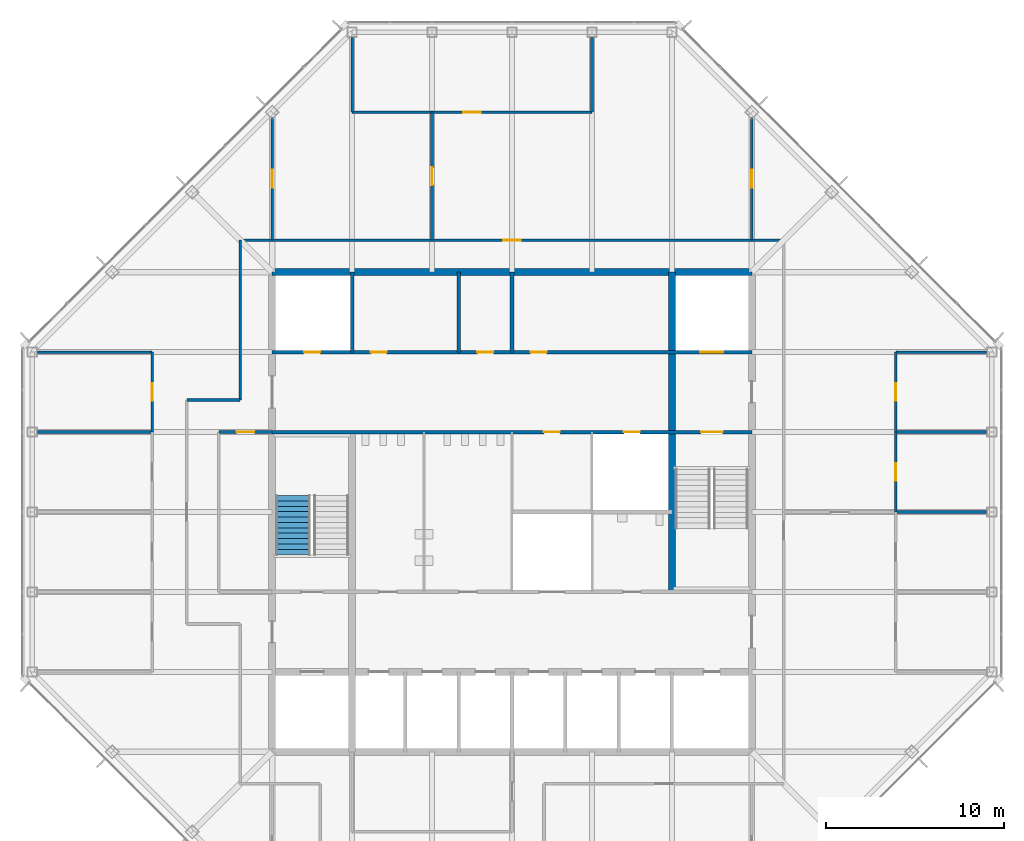
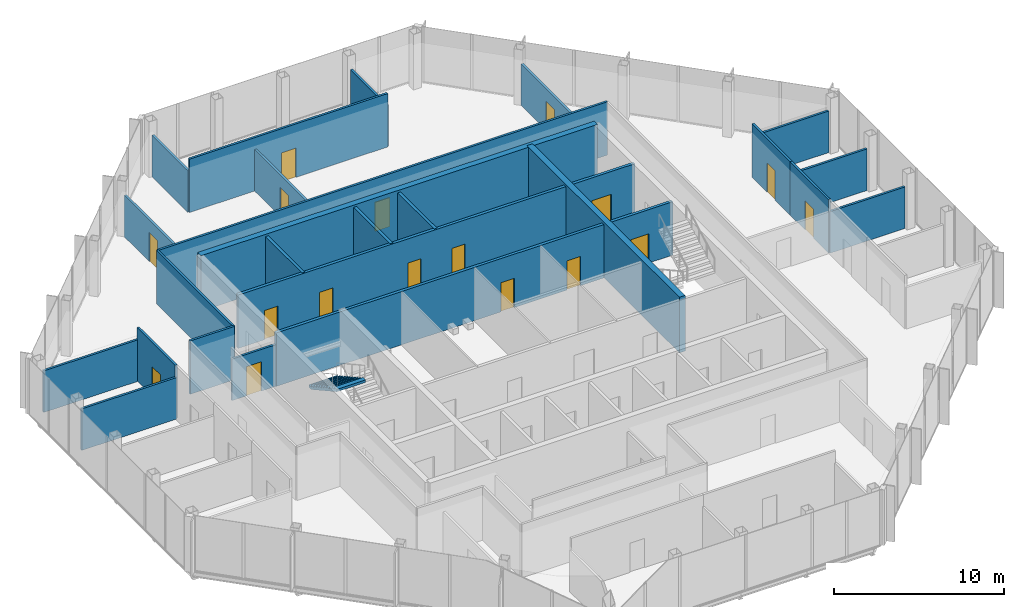
# One storey, part 11 of 14: 25 walls, 17 doors, 1 stair flight, 17 openings, 1 element without a shape of its own.
"""IFC4 building model written with IfcOpenShell, lengths in metres."""

from ifc_helpers import new_model, si_unit, direction, frame, frame_2d, origin, place, context, subcontext, project, spatial, polyline, rectangle, outline, extrude, material, layer, layer_set, type_object, element, fill, aggregate, save


model = new_model("IFC4")

# Units and contexts
model_context = context("Model", 3, precision=1e-05, world=origin(), true_north=direction((0.0, 1.0)))
body_context = subcontext(model_context, "Body", "Model", "MODEL_VIEW")
ifc_project = project(units=[si_unit("LENGTHUNIT", "METRE"), si_unit("AREAUNIT", "SQUARE_METRE"), si_unit("VOLUMEUNIT", "CUBIC_METRE"), si_unit("PLANEANGLEUNIT", "RADIAN"), si_unit("MASSUNIT", "GRAM", prefix="KILO")], contexts=[model_context])

# Site, building, storey
site_placement = place(None, origin())
site = spatial("IfcSite", under=ifc_project, at=site_placement, CompositionType="ELEMENT")
building_placement = place(site_placement, origin())
building = spatial("IfcBuilding", under=site, at=building_placement, Name="Corais Broadcast Tower", CompositionType="ELEMENT")
storey_placement = place(building_placement, frame((0.0, 0.0, 294.60009765625)))
storey = spatial("IfcBuildingStorey", under=building, at=storey_placement, Name="L69", CompositionType="ELEMENT", Elevation=294.60009765625)

# Wall
ifc_material_1 = material(Name="Concrete blockwork class A, grouted, two-hour", Category="masonry")
ifc_layer_1 = layer(ifc_material_1, 0.199951171875)
ifc_layer_set_1 = layer_set([ifc_layer_1], Name="Concrete blockwork class A, grouted, two-hour")
wall_type_1 = type_object("IfcWallType", Name="Core lobby wall 200", PredefinedType="SOLIDWALL", material=ifc_layer_set_1)
wall_1_placement = place(storey_placement, frame((18.0, 36.0, 0.0), z_axis=(0.0, 0.0, 1.0), x_axis=(0.0, 1.0, 0.0)))
element("IfcWall", 1, at=wall_1_placement, inside=storey, type_object=wall_type_1, Name="CL3 core shaft wall X18B L69", PredefinedType="SOLIDWALL", context=body_context, shape_type="SweptSolid", body=[
    extrude(rectangle(XDim=4.5, YDim=0.199951171875, at=frame_2d((2.25, 0.0))), origin(), (0.0, 0.0, 1.0), 3.83984375),
])

# Wall, openings, doors
wall_2_placement = place(storey_placement, frame((13.5, 31.5, 0.0), z_axis=(0.0, 0.0, 1.0), x_axis=(1.0, 0.0, 0.0)))
wall_2 = element("IfcWall", 2, at=wall_2_placement, inside=storey, type_object=wall_type_1, Name="CL3 core lobby wall Y315 L69", PredefinedType="SOLIDWALL", context=body_context, shape_type="SweptSolid", body=[
    extrude(rectangle(XDim=27.0, YDim=0.199951171875, at=frame_2d((13.5, 0.0))), origin(), (0.0, 0.0, 1.0), 3.83984375),
])
opening_1_placement = place(wall_2_placement, frame((24.14990234375, 0.0, 0.0)))
opening_1 = element("IfcOpeningElement", 3, at=opening_1_placement, cuts=wall_2, Name="Opening FD1", PredefinedType="OPENING", context=body_context, shape_type="SweptSolid", body=[
    extrude(rectangle(XDim=1.199951171875, YDim=2.10009765625, at=frame_2d((0.60009765625, 1.050048828125))), frame((0.0, 0.10986328125, 0.0), z_axis=(0.0, -1.0, 0.0), x_axis=(1.0, 0.0, 0.0)), (0.0, 0.0, 1.0), 0.219970703125),
])
opening_2_placement = place(wall_2_placement, frame((15.300048828125, 0.0, 0.0)))
opening_2 = element("IfcOpeningElement", 4, at=opening_2_placement, cuts=wall_2, Name="Opening RD1", PredefinedType="OPENING", context=body_context, shape_type="SweptSolid", body=[
    extrude(rectangle(XDim=0.89990234375, YDim=2.10009765625, at=frame_2d((0.449951171875, 1.050048828125))), frame((0.0, 0.10986328125, 0.0), z_axis=(0.0, -1.0, 0.0), x_axis=(1.0, 0.0, 0.0)), (0.0, 0.0, 1.0), 0.219970703125),
])
opening_3_placement = place(wall_2_placement, frame((19.800048828125, 0.0, 0.0)))
opening_3 = element("IfcOpeningElement", 5, at=opening_3_placement, cuts=wall_2, Name="Opening RD1", PredefinedType="OPENING", context=body_context, shape_type="SweptSolid", body=[
    extrude(rectangle(XDim=0.89990234375, YDim=2.10009765625, at=frame_2d((0.449951171875, 1.050048828125))), frame((0.0, 0.10986328125, 0.0), z_axis=(0.0, -1.0, 0.0), x_axis=(1.0, 0.0, 0.0)), (0.0, 0.0, 1.0), 0.219970703125),
])
ifc_material_2 = material(Name="Steel fire door", Category="steel")
door_type_1 = type_object("IfcDoorType", Name="Fire door 1200x2100", OperationType="SINGLE_SWING_LEFT", PredefinedType="DOOR", material=ifc_material_2)
door_1_placement = place(opening_1_placement, origin())
door_1 = element("IfcDoor", 6, at=door_1_placement, inside=storey, type_object=door_type_1, Name="FD1 stair B door L69", OperationType="SINGLE_SWING_RIGHT", OverallHeight=2.10009765625, OverallWidth=1.199951171875, PredefinedType="DOOR", context=body_context, shape_type="SweptSolid", body=[
    extrude(rectangle(XDim=1.199951171875, YDim=2.10009765625, at=frame_2d((0.60009765625, 1.050048828125))), frame((0.0, 0.02490234375, 0.0), z_axis=(0.0, -1.0, 0.0), x_axis=(1.0, 0.0, 0.0)), (0.0, 0.0, 1.0), 0.050048828125),
])
fill(opening_1, door_1)
ifc_material_3 = material(Name="Steel fire door", Category="steel")
door_type_2 = type_object("IfcDoorType", Name="Riser door 900x2100", OperationType="SINGLE_SWING_LEFT", PredefinedType="DOOR", material=ifc_material_3)
door_2_placement = place(opening_2_placement, origin())
door_2 = element("IfcDoor", 7, at=door_2_placement, inside=storey, type_object=door_type_2, Name="RD1 vending room door L69", OperationType="SINGLE_SWING_RIGHT", OverallHeight=2.10009765625, OverallWidth=0.89990234375, PredefinedType="DOOR", context=body_context, shape_type="SweptSolid", body=[
    extrude(rectangle(XDim=0.89990234375, YDim=2.10009765625, at=frame_2d((0.449951171875, 1.050048828125))), frame((0.0, 0.02490234375, 0.0), z_axis=(0.0, -1.0, 0.0), x_axis=(1.0, 0.0, 0.0)), (0.0, 0.0, 1.0), 0.050048828125),
])
fill(opening_2, door_2)
door_3_placement = place(opening_3_placement, origin())
door_3 = element("IfcDoor", 8, at=door_3_placement, inside=storey, type_object=door_type_2, Name="RD1 riser door L69", OperationType="SINGLE_SWING_RIGHT", OverallHeight=2.10009765625, OverallWidth=0.89990234375, PredefinedType="DOOR", context=body_context, shape_type="SweptSolid", body=[
    extrude(rectangle(XDim=0.89990234375, YDim=2.10009765625, at=frame_2d((0.449951171875, 1.050048828125))), frame((0.0, 0.02490234375, 0.0), z_axis=(0.0, -1.0, 0.0), x_axis=(1.0, 0.0, 0.0)), (0.0, 0.0, 1.0), 0.050048828125),
])
fill(opening_3, door_3)

# Walls
ifc_material_4 = material(Name="Concrete C50/60", Category="concrete")
ifc_layer_2 = layer(ifc_material_4, 0.39990234375)
ifc_layer_set_2 = layer_set([ifc_layer_2], Name="Concrete C50/60")
wall_type_2 = type_object("IfcWallType", Name="Core wall 400", PredefinedType="SHEAR", material=ifc_layer_set_2)
wall_3_placement = place(storey_placement, frame((40.5, 40.5, 0.0), z_axis=(0.0, 0.0, 1.0), x_axis=(-1.0, 0.0, 0.0)))
element("IfcWall", 9, at=wall_3_placement, inside=storey, type_object=wall_type_2, Name="CR400 core wall N L69", PredefinedType="SHEAR", context=body_context, shape_type="SweptSolid", body=[
    extrude(rectangle(XDim=27.0, YDim=0.39990234375, at=frame_2d((13.5, 0.0))), origin(), (0.0, 0.0, 1.0), 4.0),
])
wall_4_placement = place(storey_placement, frame((36.0, 22.5, 0.0), z_axis=(0.0, 0.0, 1.0), x_axis=(0.0, 1.0, 0.0)))
element("IfcWall", 10, at=wall_4_placement, inside=storey, type_object=wall_type_2, Name="CR400 core wall X36B L69", PredefinedType="SHEAR", context=body_context, shape_type="SweptSolid", body=[
    extrude(rectangle(XDim=18.0, YDim=0.39990234375, at=frame_2d((9.0, 0.0))), origin(), (0.0, 0.0, 1.0), 4.0),
])

# Wall, openings, doors
ifc_material_5 = material(Name="Concrete blockwork class A, grouted, four-hour", Category="masonry")
ifc_layer_3 = layer(ifc_material_5, 0.199951171875)
ifc_layer_set_3 = layer_set([ifc_layer_3], Name="Concrete blockwork class A, grouted, four-hour")
wall_type_3 = type_object("IfcWallType", Name="Emergency lift shaft wall 200", PredefinedType="SOLIDWALL", material=ifc_layer_set_3)
wall_5_placement = place(storey_placement, frame((13.5, 36.0, 0.0), z_axis=(0.0, 0.0, 1.0), x_axis=(1.0, 0.0, 0.0)))
wall_5 = element("IfcWall", 11, at=wall_5_placement, inside=storey, type_object=wall_type_3, Name="LS3 core lobby wall Y36 L69", PredefinedType="SOLIDWALL", context=body_context, shape_type="SweptSolid", body=[
    extrude(rectangle(XDim=27.0, YDim=0.199951171875, at=frame_2d((13.5, 0.0))), origin(), (0.0, 0.0, 1.0), 3.83984375),
])
opening_4_placement = place(wall_5_placement, frame((1.800048828125, 0.0, 0.0)))
opening_4 = element("IfcOpeningElement", 12, at=opening_4_placement, cuts=wall_5, Name="Opening RD1", PredefinedType="OPENING", context=body_context, shape_type="SweptSolid", body=[
    extrude(rectangle(XDim=0.89990234375, YDim=2.10009765625, at=frame_2d((0.449951171875, 1.050048828125))), frame((0.0, 0.10986328125, 0.0), z_axis=(0.0, -1.0, 0.0), x_axis=(1.0, 0.0, 0.0)), (0.0, 0.0, 1.0), 0.219970703125),
])
opening_5_placement = place(wall_5_placement, frame((5.550048828125, 0.0, 0.0)))
opening_5 = element("IfcOpeningElement", 13, at=opening_5_placement, cuts=wall_5, Name="Opening RD1", PredefinedType="OPENING", context=body_context, shape_type="SweptSolid", body=[
    extrude(rectangle(XDim=0.89990234375, YDim=2.10009765625, at=frame_2d((0.449951171875, 1.050048828125))), frame((0.0, 0.10986328125, 0.0), z_axis=(0.0, -1.0, 0.0), x_axis=(1.0, 0.0, 0.0)), (0.0, 0.0, 1.0), 0.219970703125),
])
opening_6_placement = place(wall_5_placement, frame((11.550048828125, 0.0, 0.0)))
opening_6 = element("IfcOpeningElement", 14, at=opening_6_placement, cuts=wall_5, Name="Opening RD1", PredefinedType="OPENING", context=body_context, shape_type="SweptSolid", body=[
    extrude(rectangle(XDim=0.89990234375, YDim=2.10009765625, at=frame_2d((0.449951171875, 1.050048828125))), frame((0.0, 0.10986328125, 0.0), z_axis=(0.0, -1.0, 0.0), x_axis=(1.0, 0.0, 0.0)), (0.0, 0.0, 1.0), 0.219970703125),
])
opening_7_placement = place(wall_5_placement, frame((14.550048828125, 0.0, 0.0)))
opening_7 = element("IfcOpeningElement", 15, at=opening_7_placement, cuts=wall_5, Name="Opening RD1", PredefinedType="OPENING", context=body_context, shape_type="SweptSolid", body=[
    extrude(rectangle(XDim=0.89990234375, YDim=2.10009765625, at=frame_2d((0.449951171875, 1.050048828125))), frame((0.0, 0.10986328125, 0.0), z_axis=(0.0, -1.0, 0.0), x_axis=(1.0, 0.0, 0.0)), (0.0, 0.0, 1.0), 0.219970703125),
])
opening_8_placement = place(wall_5_placement, frame((24.10009765625, 0.0, 0.0)))
opening_8 = element("IfcOpeningElement", 16, at=opening_8_placement, cuts=wall_5, Name="Opening LD2", PredefinedType="OPENING", context=body_context, shape_type="SweptSolid", body=[
    extrude(rectangle(XDim=1.300048828125, YDim=2.199951171875, at=frame_2d((0.64990234375, 1.10009765625))), frame((0.0, 0.10986328125, 0.0), z_axis=(0.0, -1.0, 0.0), x_axis=(1.0, 0.0, 0.0)), (0.0, 0.0, 1.0), 0.219970703125),
])
ifc_material_6 = material(Name="Stainless steel lift door", Category="steel")
door_type_3 = type_object("IfcDoorType", Name="Lift landing door 1300x2200", OperationType="SLIDING_TO_LEFT", PredefinedType="DOOR", material=ifc_material_6)
door_4_placement = place(opening_8_placement, origin())
door_4 = element("IfcDoor", 17, at=door_4_placement, inside=storey, type_object=door_type_3, Name="LD2 FL2 landing door L69", OperationType="SLIDING_TO_LEFT", OverallHeight=2.199951171875, OverallWidth=1.300048828125, PredefinedType="DOOR", context=body_context, shape_type="SweptSolid", body=[
    extrude(rectangle(XDim=1.300048828125, YDim=2.199951171875, at=frame_2d((0.64990234375, 1.10009765625))), frame((0.0, 0.02490234375, 0.0), z_axis=(0.0, -1.0, 0.0), x_axis=(1.0, 0.0, 0.0)), (0.0, 0.0, 1.0), 0.050048828125),
])
fill(opening_8, door_4)
door_5_placement = place(opening_4_placement, origin())
door_5 = element("IfcDoor", 18, at=door_5_placement, inside=storey, type_object=door_type_2, Name="RD1 riser door L69", OperationType="SINGLE_SWING_LEFT", OverallHeight=2.10009765625, OverallWidth=0.89990234375, PredefinedType="DOOR", context=body_context, shape_type="SweptSolid", body=[
    extrude(rectangle(XDim=0.89990234375, YDim=2.10009765625, at=frame_2d((0.449951171875, 1.050048828125))), frame((0.0, 0.02490234375, 0.0), z_axis=(0.0, -1.0, 0.0), x_axis=(1.0, 0.0, 0.0)), (0.0, 0.0, 1.0), 0.050048828125),
])
fill(opening_4, door_5)
door_6_placement = place(opening_5_placement, origin())
door_6 = element("IfcDoor", 19, at=door_6_placement, inside=storey, type_object=door_type_2, Name="RD1 media store door L69", OperationType="SINGLE_SWING_LEFT", OverallHeight=2.10009765625, OverallWidth=0.89990234375, PredefinedType="DOOR", context=body_context, shape_type="SweptSolid", body=[
    extrude(rectangle(XDim=0.89990234375, YDim=2.10009765625, at=frame_2d((0.449951171875, 1.050048828125))), frame((0.0, 0.02490234375, 0.0), z_axis=(0.0, -1.0, 0.0), x_axis=(1.0, 0.0, 0.0)), (0.0, 0.0, 1.0), 0.050048828125),
])
fill(opening_5, door_6)
door_7_placement = place(opening_6_placement, origin())
door_7 = element("IfcDoor", 20, at=door_7_placement, inside=storey, type_object=door_type_2, Name="RD1 tea point door L69", OperationType="SINGLE_SWING_LEFT", OverallHeight=2.10009765625, OverallWidth=0.89990234375, PredefinedType="DOOR", context=body_context, shape_type="SweptSolid", body=[
    extrude(rectangle(XDim=0.89990234375, YDim=2.10009765625, at=frame_2d((0.449951171875, 1.050048828125))), frame((0.0, 0.02490234375, 0.0), z_axis=(0.0, -1.0, 0.0), x_axis=(1.0, 0.0, 0.0)), (0.0, 0.0, 1.0), 0.050048828125),
])
fill(opening_6, door_7)
door_8_placement = place(opening_7_placement, origin())
door_8 = element("IfcDoor", 21, at=door_8_placement, inside=storey, type_object=door_type_2, Name="RD1 locker room door L69", OperationType="SINGLE_SWING_RIGHT", OverallHeight=2.10009765625, OverallWidth=0.89990234375, PredefinedType="DOOR", context=body_context, shape_type="SweptSolid", body=[
    extrude(rectangle(XDim=0.89990234375, YDim=2.10009765625, at=frame_2d((0.449951171875, 1.050048828125))), frame((0.0, 0.02490234375, 0.0), z_axis=(0.0, -1.0, 0.0), x_axis=(1.0, 0.0, 0.0)), (0.0, 0.0, 1.0), 0.050048828125),
])
fill(opening_7, door_8)

# Wall, opening, door
ifc_material_7 = material(Name="Gypsum board on steel studs", Category="steel")
ifc_layer_4 = layer(ifc_material_7, 0.14990234375)
ifc_layer_set_4 = layer_set([ifc_layer_4], Name="Gypsum board on steel studs")
wall_type_4 = type_object("IfcWallType", Name="Partition 150", PredefinedType="PARTITIONING", material=ifc_layer_set_4)
wall_6_placement = place(storey_placement, frame((42.300048828125, 42.300048828125, 0.0), z_axis=(0.0, 0.0, 1.0), x_axis=(-1.0, 0.0, 0.0)))
wall_6 = element("IfcWall", 22, at=wall_6_placement, inside=storey, type_object=wall_type_4, Name="IW3 corridor wall L69", PredefinedType="PARTITIONING", context=body_context, shape_type="SweptSolid", body=[
    extrude(rectangle(XDim=30.60009765625, YDim=0.14990234375, at=frame_2d((15.300048828125, 0.0))), origin(), (0.0, 0.0, 1.0), 3.83984375),
])
opening_9_placement = place(wall_6_placement, frame((14.800048828125, 0.0, 0.0)))
opening_9 = element("IfcOpeningElement", 23, at=opening_9_placement, cuts=wall_6, Name="Opening D1", PredefinedType="OPENING", context=body_context, shape_type="SweptSolid", body=[
    extrude(rectangle(XDim=1.0, YDim=2.10009765625, at=frame_2d((0.5, 1.050048828125))), frame((0.0, 0.0849609375, 0.0), z_axis=(0.0, -1.0, 0.0), x_axis=(1.0, 0.0, 0.0)), (0.0, 0.0, 1.0), 0.169921875),
])
ifc_material_8 = material(Name="Timber door", Category="wood")
door_type_4 = type_object("IfcDoorType", Name="Single door 1000x2100", OperationType="SINGLE_SWING_LEFT", PredefinedType="DOOR", material=ifc_material_8)
door_9_placement = place(opening_9_placement, origin())
door_9 = element("IfcDoor", 24, at=door_9_placement, inside=storey, type_object=door_type_4, Name="D1 workplace door L69", OperationType="SINGLE_SWING_LEFT", OverallHeight=2.10009765625, OverallWidth=1.0, PredefinedType="DOOR", context=body_context, shape_type="SweptSolid", body=[
    extrude(rectangle(XDim=1.0, YDim=2.10009765625, at=frame_2d((0.5, 1.050048828125))), frame((0.0, 0.02490234375, 0.0), z_axis=(0.0, -1.0, 0.0), x_axis=(1.0, 0.0, 0.0)), (0.0, 0.0, 1.0), 0.050048828125),
])
fill(opening_9, door_9)

# Walls
wall_7_placement = place(storey_placement, frame((11.699951171875, 42.300048828125, 0.0), z_axis=(0.0, 0.0, 1.0), x_axis=(0.0, -1.0, 0.0)))
element("IfcWall", 25, at=wall_7_placement, inside=storey, type_object=wall_type_4, Name="IW3 corridor wall L69", PredefinedType="PARTITIONING", context=body_context, shape_type="SweptSolid", body=[
    extrude(rectangle(XDim=9.0, YDim=0.14990234375, at=frame_2d((4.5, 0.0))), origin(), (0.0, 0.0, 1.0), 3.83984375),
])
wall_8_placement = place(storey_placement, frame((11.699951171875, 33.300048828125, 0.0), z_axis=(0.0, 0.0, 1.0), x_axis=(-1.0, 0.0, 0.0)))
element("IfcWall", 26, at=wall_8_placement, inside=storey, type_object=wall_type_4, Name="IW3 corridor wall L69", PredefinedType="PARTITIONING", context=body_context, shape_type="SweptSolid", body=[
    extrude(rectangle(XDim=3.0, YDim=0.14990234375, at=frame_2d((1.5, 0.0))), origin(), (0.0, 0.0, 1.0), 3.83984375),
])
for number, where, z_axis, x_axis, name in (
    (27, (53.715087890625, 27.0, 0.0), (0.0, 0.0, 1.0), (-1.0, 0.0, 0.0), "IW3 partition L69"),
    (28, (53.715087890625, 31.5, 0.0), (0.0, 0.0, 1.0), (-1.0, 0.0, 0.0), "IW3 partition L69"),
):
    element("IfcWall", number, at=place(storey_placement, frame(where, z_axis=z_axis, x_axis=x_axis)), inside=storey, type_object=wall_type_4, Name=name, PredefinedType="PARTITIONING", context=body_context, shape_type="SweptSolid", body=[
        extrude(rectangle(XDim=5.114990234375, YDim=0.14990234375, at=frame_2d((2.5576171875, 0.0))), origin(), (0.0, 0.0, 1.0), 2.989013671875),
    ])

# Wall, opening, door
wall_9_placement = place(storey_placement, frame((48.60009765625, 31.5, 0.0), z_axis=(0.0, 0.0, 1.0), x_axis=(0.0, -1.0, 0.0)))
wall_9 = element("IfcWall", 29, at=wall_9_placement, inside=storey, type_object=wall_type_4, Name="IW3 partition L69", PredefinedType="PARTITIONING", context=body_context, shape_type="SweptSolid", body=[
    extrude(rectangle(XDim=4.5, YDim=0.14990234375, at=frame_2d((2.25, 0.0))), origin(), (0.0, 0.0, 1.0), 3.83984375),
])
opening_10_placement = place(wall_9_placement, frame((1.75, 0.0, 0.0)))
opening_10 = element("IfcOpeningElement", 30, at=opening_10_placement, cuts=wall_9, Name="Opening D1", PredefinedType="OPENING", context=body_context, shape_type="SweptSolid", body=[
    extrude(rectangle(XDim=1.0, YDim=2.10009765625, at=frame_2d((0.5, 1.050048828125))), frame((0.0, 0.0849609375, 0.0), z_axis=(0.0, -1.0, 0.0), x_axis=(1.0, 0.0, 0.0)), (0.0, 0.0, 1.0), 0.169921875),
])
door_10_placement = place(opening_10_placement, origin())
door_10 = element("IfcDoor", 31, at=door_10_placement, inside=storey, type_object=door_type_4, Name="D1 Executive office door", OperationType="SINGLE_SWING_LEFT", OverallHeight=2.10009765625, OverallWidth=1.0, PredefinedType="DOOR", context=body_context, shape_type="SweptSolid", body=[
    extrude(rectangle(XDim=1.0, YDim=2.10009765625, at=frame_2d((0.5, 1.050048828125))), frame((0.0, 0.02490234375, 0.0), z_axis=(0.0, -1.0, 0.0), x_axis=(1.0, 0.0, 0.0)), (0.0, 0.0, 1.0), 0.050048828125),
])
fill(opening_10, door_10)

# Wall
wall_10_placement = place(storey_placement, frame((53.715087890625, 36.0, 0.0), z_axis=(0.0, 0.0, 1.0), x_axis=(-1.0, 0.0, 0.0)))
element("IfcWall", 32, at=wall_10_placement, inside=storey, type_object=wall_type_4, Name="IW3 partition L69", PredefinedType="PARTITIONING", context=body_context, shape_type="SweptSolid", body=[
    extrude(rectangle(XDim=5.114990234375, YDim=0.14990234375, at=frame_2d((2.5576171875, 0.0))), origin(), (0.0, 0.0, 1.0), 2.989013671875),
])

# Wall, opening, door
wall_11_placement = place(storey_placement, frame((48.60009765625, 36.0, 0.0), z_axis=(0.0, 0.0, 1.0), x_axis=(0.0, -1.0, 0.0)))
wall_11 = element("IfcWall", 33, at=wall_11_placement, inside=storey, type_object=wall_type_4, Name="IW3 partition L69", PredefinedType="PARTITIONING", context=body_context, shape_type="SweptSolid", body=[
    extrude(rectangle(XDim=4.5, YDim=0.14990234375, at=frame_2d((2.25, 0.0))), origin(), (0.0, 0.0, 1.0), 3.83984375),
])
opening_11_placement = place(wall_11_placement, frame((1.75, 0.0, 0.0)))
opening_11 = element("IfcOpeningElement", 34, at=opening_11_placement, cuts=wall_11, Name="Opening D1", PredefinedType="OPENING", context=body_context, shape_type="SweptSolid", body=[
    extrude(rectangle(XDim=1.0, YDim=2.10009765625, at=frame_2d((0.5, 1.050048828125))), frame((0.0, 0.0849609375, 0.0), z_axis=(0.0, -1.0, 0.0), x_axis=(1.0, 0.0, 0.0)), (0.0, 0.0, 1.0), 0.169921875),
])
door_11_placement = place(opening_11_placement, origin())
door_11 = element("IfcDoor", 35, at=door_11_placement, inside=storey, type_object=door_type_4, Name="D1 Executive office door", OperationType="SINGLE_SWING_LEFT", OverallHeight=2.10009765625, OverallWidth=1.0, PredefinedType="DOOR", context=body_context, shape_type="SweptSolid", body=[
    extrude(rectangle(XDim=1.0, YDim=2.10009765625, at=frame_2d((0.5, 1.050048828125))), frame((0.0, 0.02490234375, 0.0), z_axis=(0.0, -1.0, 0.0), x_axis=(1.0, 0.0, 0.0)), (0.0, 0.0, 1.0), 0.050048828125),
])
fill(opening_11, door_11)

wall_12_placement = place(storey_placement, frame((18.0, 49.5, 0.0), z_axis=(0.0, 0.0, 1.0), x_axis=(1.0, 0.0, 0.0)))
wall_12 = element("IfcWall", 36, at=wall_12_placement, inside=storey, type_object=wall_type_4, Name="IW3 partition L69", PredefinedType="PARTITIONING", context=body_context, shape_type="SweptSolid", body=[
    extrude(rectangle(XDim=13.5, YDim=0.14990234375, at=frame_2d((6.75, 0.0))), origin(), (0.0, 0.0, 1.0), 3.83984375),
])
opening_12_placement = place(wall_12_placement, frame((6.25, 0.0, 0.0)))
opening_12 = element("IfcOpeningElement", 37, at=opening_12_placement, cuts=wall_12, Name="Opening D1", PredefinedType="OPENING", context=body_context, shape_type="SweptSolid", body=[
    extrude(rectangle(XDim=1.0, YDim=2.10009765625, at=frame_2d((0.5, 1.050048828125))), frame((0.0, 0.0849609375, 0.0), z_axis=(0.0, -1.0, 0.0), x_axis=(1.0, 0.0, 0.0)), (0.0, 0.0, 1.0), 0.169921875),
])
door_12_placement = place(opening_12_placement, origin())
door_12 = element("IfcDoor", 38, at=door_12_placement, inside=storey, type_object=door_type_4, Name="D1 Committee meeting room door", OperationType="SINGLE_SWING_LEFT", OverallHeight=2.10009765625, OverallWidth=1.0, PredefinedType="DOOR", context=body_context, shape_type="SweptSolid", body=[
    extrude(rectangle(XDim=1.0, YDim=2.10009765625, at=frame_2d((0.5, 1.050048828125))), frame((0.0, 0.02490234375, 0.0), z_axis=(0.0, -1.0, 0.0), x_axis=(1.0, 0.0, 0.0)), (0.0, 0.0, 1.0), 0.050048828125),
])
fill(opening_12, door_12)

# Walls
for number, where, z_axis, x_axis, name in (
    (39, (31.5, 49.5, 0.0), (0.0, 0.0, 1.0), (0.0, 1.0, 0.0), "IW3 partition L69"),
    (40, (18.0, 53.715087890625, 0.0), (0.0, 0.0, 1.0), (0.0, -1.0, 0.0), "IW3 partition L69"),
):
    element("IfcWall", number, at=place(storey_placement, frame(where, z_axis=z_axis, x_axis=x_axis)), inside=storey, type_object=wall_type_4, Name=name, PredefinedType="PARTITIONING", context=body_context, shape_type="SweptSolid", body=[
        extrude(rectangle(XDim=4.215087890625, YDim=0.14990234375, at=frame_2d((2.107421875, 0.0))), origin(), (0.0, 0.0, 1.0), 2.989013671875),
    ])

# Wall, opening, door
wall_13_placement = place(storey_placement, frame((13.5, 31.5, 0.0), z_axis=(0.0, 0.0, 1.0), x_axis=(-1.0, 0.0, 0.0)))
wall_13 = element("IfcWall", 41, at=wall_13_placement, inside=storey, type_object=wall_type_4, Name="IW3 partition L69", PredefinedType="PARTITIONING", context=body_context, shape_type="SweptSolid", body=[
    extrude(rectangle(XDim=3.0, YDim=0.14990234375, at=frame_2d((1.5, 0.0))), origin(), (0.0, 0.0, 1.0), 2.989013671875),
])
opening_13_placement = place(wall_13_placement, frame((1.0, 0.0, 0.0)))
opening_13 = element("IfcOpeningElement", 42, at=opening_13_placement, cuts=wall_13, Name="Opening D1", PredefinedType="OPENING", context=body_context, shape_type="SweptSolid", body=[
    extrude(rectangle(XDim=1.0, YDim=2.10009765625, at=frame_2d((0.5, 1.050048828125))), frame((0.0, 0.0849609375, 0.0), z_axis=(0.0, -1.0, 0.0), x_axis=(1.0, 0.0, 0.0)), (0.0, 0.0, 1.0), 0.169921875),
])
door_13_placement = place(opening_13_placement, origin())
door_13 = element("IfcDoor", 43, at=door_13_placement, inside=storey, type_object=door_type_4, Name="D1 Pantry door", OperationType="SINGLE_SWING_LEFT", OverallHeight=2.10009765625, OverallWidth=1.0, PredefinedType="DOOR", context=body_context, shape_type="SweptSolid", body=[
    extrude(rectangle(XDim=1.0, YDim=2.10009765625, at=frame_2d((0.5, 1.050048828125))), frame((0.0, 0.02490234375, 0.0), z_axis=(0.0, -1.0, 0.0), x_axis=(1.0, 0.0, 0.0)), (0.0, 0.0, 1.0), 0.050048828125),
])
fill(opening_13, door_13)

# Wall
wall_14_placement = place(storey_placement, frame((6.75, 31.5, 0.0), z_axis=(0.0, 0.0, 1.0), x_axis=(-1.0, 0.0, 0.0)))
element("IfcWall", 44, at=wall_14_placement, inside=storey, type_object=wall_type_4, Name="IW3 partition L69", PredefinedType="PARTITIONING", context=body_context, shape_type="SweptSolid", body=[
    extrude(rectangle(XDim=6.465087890625, YDim=0.14990234375, at=frame_2d((3.232421875, 0.0))), origin(), (0.0, 0.0, 1.0), 2.989013671875),
])

# Wall, opening, door
wall_15_placement = place(storey_placement, frame((6.75, 31.5, 0.0), z_axis=(0.0, 0.0, 1.0), x_axis=(0.0, 1.0, 0.0)))
wall_15 = element("IfcWall", 45, at=wall_15_placement, inside=storey, type_object=wall_type_4, Name="IW3 partition L69", PredefinedType="PARTITIONING", context=body_context, shape_type="SweptSolid", body=[
    extrude(rectangle(XDim=4.5, YDim=0.14990234375, at=frame_2d((2.25, 0.0))), origin(), (0.0, 0.0, 1.0), 3.83984375),
])
opening_14_placement = place(wall_15_placement, frame((1.75, 0.0, 0.0)))
opening_14 = element("IfcOpeningElement", 46, at=opening_14_placement, cuts=wall_15, Name="Opening D1", PredefinedType="OPENING", context=body_context, shape_type="SweptSolid", body=[
    extrude(rectangle(XDim=1.0, YDim=2.10009765625, at=frame_2d((0.5, 1.050048828125))), frame((0.0, 0.0849609375, 0.0), z_axis=(0.0, -1.0, 0.0), x_axis=(1.0, 0.0, 0.0)), (0.0, 0.0, 1.0), 0.169921875),
])
door_14_placement = place(opening_14_placement, origin())
door_14 = element("IfcDoor", 47, at=door_14_placement, inside=storey, type_object=door_type_4, Name="D1 Executive lounge door", OperationType="SINGLE_SWING_LEFT", OverallHeight=2.10009765625, OverallWidth=1.0, PredefinedType="DOOR", context=body_context, shape_type="SweptSolid", body=[
    extrude(rectangle(XDim=1.0, YDim=2.10009765625, at=frame_2d((0.5, 1.050048828125))), frame((0.0, 0.02490234375, 0.0), z_axis=(0.0, -1.0, 0.0), x_axis=(1.0, 0.0, 0.0)), (0.0, 0.0, 1.0), 0.050048828125),
])
fill(opening_14, door_14)

# Wall
wall_16_placement = place(storey_placement, frame((6.75, 36.0, 0.0), z_axis=(0.0, 0.0, 1.0), x_axis=(-1.0, 0.0, 0.0)))
element("IfcWall", 48, at=wall_16_placement, inside=storey, type_object=wall_type_4, Name="IW3 partition L69", PredefinedType="PARTITIONING", context=body_context, shape_type="SweptSolid", body=[
    extrude(rectangle(XDim=6.465087890625, YDim=0.14990234375, at=frame_2d((3.232421875, 0.0))), origin(), (0.0, 0.0, 1.0), 2.989013671875),
])

# Wall, opening, door
wall_17_placement = place(storey_placement, frame((22.5, 42.300048828125, 0.0), z_axis=(0.0, 0.0, 1.0), x_axis=(0.0, 1.0, 0.0)))
wall_17 = element("IfcWall", 49, at=wall_17_placement, inside=storey, type_object=wall_type_4, Name="IW3 partition L69", PredefinedType="PARTITIONING", context=body_context, shape_type="SweptSolid", body=[
    extrude(rectangle(XDim=7.199951171875, YDim=0.14990234375, at=frame_2d((3.60009765625, 0.0))), origin(), (0.0, 0.0, 1.0), 2.989013671875),
])
opening_15_placement = place(wall_17_placement, frame((3.10009765625, 0.0, 0.0)))
opening_15 = element("IfcOpeningElement", 50, at=opening_15_placement, cuts=wall_17, Name="Opening D1", PredefinedType="OPENING", context=body_context, shape_type="SweptSolid", body=[
    extrude(rectangle(XDim=1.0, YDim=2.10009765625, at=frame_2d((0.5, 1.050048828125))), frame((0.0, 0.0849609375, 0.0), z_axis=(0.0, -1.0, 0.0), x_axis=(1.0, 0.0, 0.0)), (0.0, 0.0, 1.0), 0.169921875),
])
door_15_placement = place(opening_15_placement, origin())
door_15 = element("IfcDoor", 51, at=door_15_placement, inside=storey, type_object=door_type_4, Name="D1 team room door L69", OperationType="SINGLE_SWING_LEFT", OverallHeight=2.10009765625, OverallWidth=1.0, PredefinedType="DOOR", context=body_context, shape_type="SweptSolid", body=[
    extrude(rectangle(XDim=1.0, YDim=2.10009765625, at=frame_2d((0.5, 1.050048828125))), frame((0.0, 0.02490234375, 0.0), z_axis=(0.0, -1.0, 0.0), x_axis=(1.0, 0.0, 0.0)), (0.0, 0.0, 1.0), 0.050048828125),
])
fill(opening_15, door_15)

wall_18_placement = place(storey_placement, frame((40.5, 49.205078125, 0.0), z_axis=(0.0, 0.0, 1.0), x_axis=(0.0, -1.0, 0.0)))
wall_18 = element("IfcWall", 52, at=wall_18_placement, inside=storey, type_object=wall_type_4, Name="IW3 partition L69", PredefinedType="PARTITIONING", context=body_context, shape_type="SweptSolid", body=[
    extrude(rectangle(XDim=6.905029296875, YDim=0.14990234375, at=frame_2d((3.45263671875, 0.0))), origin(), (0.0, 0.0, 1.0), 2.989013671875),
])
opening_16_placement = place(wall_18_placement, frame((2.952392578125, 0.0, 0.0)))
opening_16 = element("IfcOpeningElement", 53, at=opening_16_placement, cuts=wall_18, Name="Opening D1", PredefinedType="OPENING", context=body_context, shape_type="SweptSolid", body=[
    extrude(rectangle(XDim=1.0, YDim=2.10009765625, at=frame_2d((0.5, 1.050048828125))), frame((0.0, 0.0849609375, 0.0), z_axis=(0.0, -1.0, 0.0), x_axis=(1.0, 0.0, 0.0)), (0.0, 0.0, 1.0), 0.169921875),
])
door_16_placement = place(opening_16_placement, origin())
door_16 = element("IfcDoor", 54, at=door_16_placement, inside=storey, type_object=door_type_4, Name="D1 team room door L69", OperationType="SINGLE_SWING_LEFT", OverallHeight=2.10009765625, OverallWidth=1.0, PredefinedType="DOOR", context=body_context, shape_type="SweptSolid", body=[
    extrude(rectangle(XDim=1.0, YDim=2.10009765625, at=frame_2d((0.5, 1.050048828125))), frame((0.0, 0.02490234375, 0.0), z_axis=(0.0, -1.0, 0.0), x_axis=(1.0, 0.0, 0.0)), (0.0, 0.0, 1.0), 0.050048828125),
])
fill(opening_16, door_16)

wall_19_placement = place(storey_placement, frame((13.5, 49.205078125, 0.0), z_axis=(0.0, 0.0, 1.0), x_axis=(0.0, -1.0, 0.0)))
wall_19 = element("IfcWall", 55, at=wall_19_placement, inside=storey, type_object=wall_type_4, Name="IW3 partition L69", PredefinedType="PARTITIONING", context=body_context, shape_type="SweptSolid", body=[
    extrude(rectangle(XDim=6.905029296875, YDim=0.14990234375, at=frame_2d((3.45263671875, 0.0))), origin(), (0.0, 0.0, 1.0), 2.989013671875),
])
opening_17_placement = place(wall_19_placement, frame((2.952392578125, 0.0, 0.0)))
opening_17 = element("IfcOpeningElement", 56, at=opening_17_placement, cuts=wall_19, Name="Opening D1", PredefinedType="OPENING", context=body_context, shape_type="SweptSolid", body=[
    extrude(rectangle(XDim=1.0, YDim=2.10009765625, at=frame_2d((0.5, 1.050048828125))), frame((0.0, 0.0849609375, 0.0), z_axis=(0.0, -1.0, 0.0), x_axis=(1.0, 0.0, 0.0)), (0.0, 0.0, 1.0), 0.169921875),
])
door_17_placement = place(opening_17_placement, origin())
door_17 = element("IfcDoor", 57, at=door_17_placement, inside=storey, type_object=door_type_4, Name="D1 team room door L69", OperationType="SINGLE_SWING_LEFT", OverallHeight=2.10009765625, OverallWidth=1.0, PredefinedType="DOOR", context=body_context, shape_type="SweptSolid", body=[
    extrude(rectangle(XDim=1.0, YDim=2.10009765625, at=frame_2d((0.5, 1.050048828125))), frame((0.0, 0.02490234375, 0.0), z_axis=(0.0, -1.0, 0.0), x_axis=(1.0, 0.0, 0.0)), (0.0, 0.0, 1.0), 0.050048828125),
])
fill(opening_17, door_17)

# Walls
ifc_material_9 = material(Name="Concrete blockwork class A, grouted, two-hour", Category="masonry")
ifc_layer_5 = layer(ifc_material_9, 0.199951171875)
ifc_layer_set_5 = layer_set([ifc_layer_5], Name="Concrete blockwork class A, grouted, two-hour")
wall_type_5 = type_object("IfcWallType", Name="Shaft wall 200", PredefinedType="PARTITIONING", material=ifc_layer_set_5)
for number, where, z_axis, x_axis, name in (
    (58, (24.0, 36.0, 0.0), (0.0, 0.0, 1.0), (0.0, 1.0, 0.0), "IW1 shaft wall L69"),
    (59, (27.0, 36.0, 0.0), (0.0, 0.0, 1.0), (0.0, 1.0, 0.0), "IW1 shaft wall L69"),
):
    element("IfcWall", number, at=place(storey_placement, frame(where, z_axis=z_axis, x_axis=x_axis)), inside=storey, type_object=wall_type_5, Name=name, PredefinedType="PARTITIONING", context=body_context, shape_type="SweptSolid", body=[
        extrude(rectangle(XDim=4.5, YDim=0.199951171875, at=frame_2d((2.25, 0.0))), origin(), (0.0, 0.0, 1.0), 3.83984375),
    ])

# Stair, stair flight
ifc_material_10 = material(Name="Concrete C30/37", Category="concrete")
stair_type = type_object("IfcStairType", Name="Half-turn stair 4000", PredefinedType="HALF_TURN_STAIR", material=ifc_material_10)
stair_placement = place(storey_placement, origin())
stair = element("IfcStair", 60, at=stair_placement, inside=storey, type_object=stair_type, Name="Stair A L69", PredefinedType="HALF_TURN_STAIR")
ifc_material_11 = material(Name="Concrete C30/37", Category="concrete")
stair_flight_type = type_object("IfcStairFlightType", Name="Stair flight 4000", PredefinedType="STRAIGHT", material=ifc_material_11)
stair_flight_placement = place(storey_placement, frame((14.675048828125, 27.922119140625, 2.0), z_axis=(0.0, 0.0, 1.0), x_axis=(0.0, -1.0, 0.0)))
stair_flight = element("IfcStairFlight", 61, at=stair_flight_placement, type_object=stair_flight_type, Name="STA flight 2", NumberOfRisers=12, NumberOfTreads=11, PredefinedType="STRAIGHT", RiserHeight=0.166666667, TreadLength=0.302, context=body_context, shape_type="SweptSolid", body=[
    extrude(outline(polyline([(0.0, 0.0), (0.0, 0.166748046875), (0.302001953125, 0.166748046875), (0.302001953125, 0.333251953125), (0.60400390625, 0.333251953125), (0.60400390625, 0.5), (0.906005859375, 0.5), (0.906005859375, 0.666748046875), (1.2080078125, 0.666748046875), (1.2080078125, 0.833251953125), (1.510009765625, 0.833251953125), (1.510009765625, 1.0), (1.81201171875, 1.0), (1.81201171875, 1.166748046875), (2.114013671875, 1.166748046875), (2.114013671875, 1.333251953125), (2.416015625, 1.333251953125), (2.416015625, 1.5), (2.718017578125, 1.5), (2.718017578125, 1.666748046875), (3.02001953125, 1.666748046875), (3.02001953125, 1.833251953125), (3.322021484375, 1.833251953125), (3.322021484375, 2.0), (3.322021484375, 1.662109375), (0.310302734375, 0.0), (0.0, 0.0)])), frame((0.0, 0.97509765625, 0.0), z_axis=(0.0, -1.0, 0.0), x_axis=(1.0, 0.0, 0.0)), (0.0, 0.0, 1.0), 1.949951171875),
])
aggregate(stair, [stair_flight])

save(model, "model.ifc")
